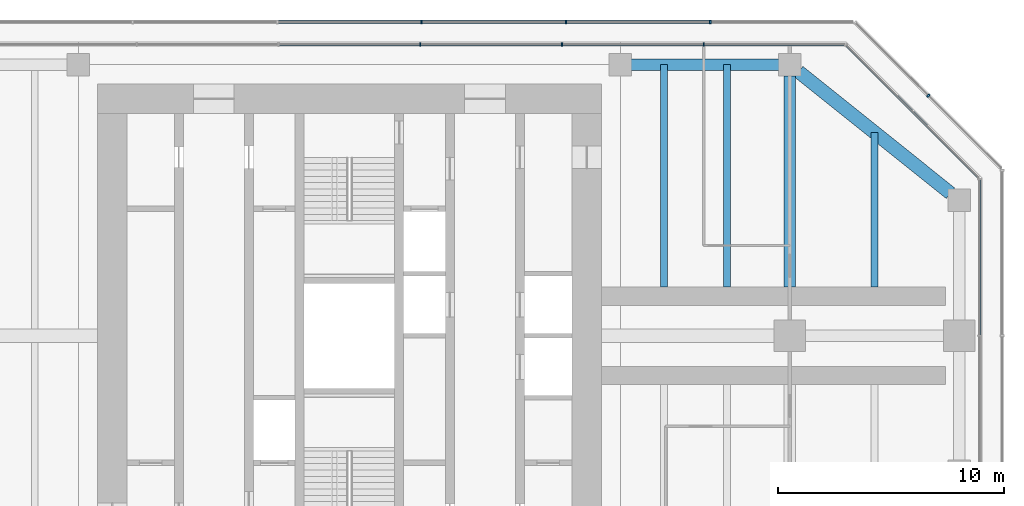
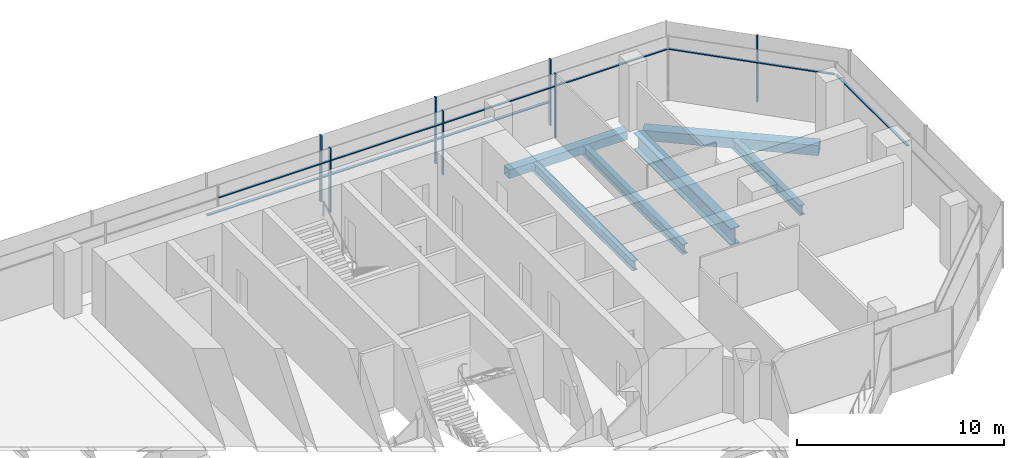
# One storey, part 7 of 15: 16 members, 6 beams, 5 elements without a shape of their own.
"""IFC4 building model written with IfcOpenShell, lengths in metres."""

from ifc_helpers import new_model, si_unit, direction, frame, origin, origin_2d, place, context, subcontext, project, spatial, rectangle, hollow_rectangle, i_section, extrude, material, material_profile, profile_set, type_object, element, aggregate, save


model = new_model("IFC4")

# Units and contexts
model_context = context("Model", 3, precision=1e-05, world=origin(), true_north=direction((0.0, 1.0)))
body_context = subcontext(model_context, "Body", "Model", "MODEL_VIEW")
ifc_project = project(units=[si_unit("LENGTHUNIT", "METRE"), si_unit("AREAUNIT", "SQUARE_METRE"), si_unit("VOLUMEUNIT", "CUBIC_METRE"), si_unit("PLANEANGLEUNIT", "RADIAN"), si_unit("MASSUNIT", "GRAM", prefix="KILO")], contexts=[model_context])

# Site, building, storey
site_placement = place(None, origin())
site = spatial("IfcSite", under=ifc_project, at=site_placement, CompositionType="ELEMENT")
building_placement = place(site_placement, origin())
building = spatial("IfcBuilding", under=site, at=building_placement, Name="Mizan Broadcast Tower", CompositionType="ELEMENT")
storey_placement = place(building_placement, frame((0.0, 0.0, 271.199951171875)))
storey = spatial("IfcBuildingStorey", under=building, at=storey_placement, Name="L64", CompositionType="ELEMENT", Elevation=271.199951171875)

# Beams
ifc_material_1 = material(Name="Steel S355", Category="steel")
ifc_material_profile_1 = material_profile(ifc_material_1, hollow_rectangle(XDim=0.5, YDim=0.5, WallThickness=0.030029296875, at=origin_2d()), Name="BOX 500x500x30")
ifc_profile_set_1 = profile_set([ifc_material_profile_1], Name="Steel S355")
beam_type_1 = type_object("IfcBeamType", Name="EDGE BEAM BOX 500x500x30", PredefinedType="SPANDREL", material=ifc_profile_set_1)
beam_1_placement = place(storey_placement, frame((12.449951171875, 12.0, -0.3798828125), z_axis=(1.0, 0.0, 0.0), x_axis=(0.0, 1.0, 0.0)))
element("IfcBeam", 1, at=beam_1_placement, inside=storey, type_object=beam_type_1, Name="Edge beam BOX 500x500x30 L64 east arm", PredefinedType="SPANDREL", context=body_context, shape_type="SweptSolid", body=[
    extrude(hollow_rectangle(XDim=0.5, YDim=0.5, WallThickness=0.030029296875, at=origin_2d()), origin(), (0.0, 0.0, 1.0), 6.60009765625),
])
ifc_material_2 = material(Name="Steel S355", Category="steel")
ifc_material_profile_2 = material_profile(ifc_material_2, hollow_rectangle(XDim=0.60009765625, YDim=0.60009765625, WallThickness=0.030029296875, at=origin_2d()), Name="BOX 600x600x30")
ifc_profile_set_2 = profile_set([ifc_material_profile_2], Name="Steel S355")
beam_type_2 = type_object("IfcBeamType", Name="EDGE BEAM BOX 600x600x30", PredefinedType="SPANDREL", material=ifc_profile_set_2)
beam_2_placement = place(storey_placement, frame((19.890380859375, 11.687744140625, -0.429931640625), z_axis=(0.780863273348, -0.62470196761, 0.0), x_axis=(0.62470196761, 0.780863273348, 0.0)))
element("IfcBeam", 2, at=beam_2_placement, inside=storey, type_object=beam_type_2, Name="Edge beam BOX 600x600x30 L64 east arm", PredefinedType="SPANDREL", context=body_context, shape_type="SweptSolid", body=[
    extrude(hollow_rectangle(XDim=0.60009765625, YDim=0.60009765625, WallThickness=0.030029296875, at=origin_2d()), origin(), (0.0, 0.0, 1.0), 8.60498046875),
])
ifc_material_3 = material(Name="Steel S460", Category="steel")
ifc_material_profile_3 = material_profile(ifc_material_3, i_section(OverallWidth=0.5, OverallDepth=1.0, WebThickness=0.02490234375, FlangeThickness=0.050048828125, at=origin_2d()), Name="WPG 1000x500")
ifc_profile_set_3 = profile_set([ifc_material_profile_3], Name="Steel S460")
beam_type_3 = type_object("IfcBeamType", Name="GIRDER WPG 1000x500", PredefinedType="BEAM", material=ifc_profile_set_3)
beam_3_placement = place(storey_placement, frame((19.5, 11.5, -0.6298828125), z_axis=(0.0, -1.0, 0.0), x_axis=(1.0, 0.0, 0.0)))
element("IfcBeam", 3, at=beam_3_placement, inside=storey, type_object=beam_type_3, Name="Girder WPG 1000x500 L64 east arm", PredefinedType="BEAM", context=body_context, shape_type="SweptSolid", body=[
    extrude(i_section(OverallWidth=0.5, OverallDepth=1.0, WebThickness=0.02490234375, FlangeThickness=0.050048828125, at=origin_2d()), origin(), (0.0, 0.0, 1.0), 9.35009765625),
])

# Curtain wall, members
ifc_material_4 = material(Name="Aluminium framed glazing", Category="aluminium")
curtain_wall_type_1 = type_object("IfcCurtainWallType", Name="INNER SKIN TOP ZONE", PredefinedType="USERDEFINED", material=ifc_material_4)
curtain_wall_1_placement = place(storey_placement, origin())
curtain_wall_1 = element("IfcCurtainWall", 4, at=curtain_wall_1_placement, inside=storey, type_object=curtain_wall_type_1, Name="Inner skin top zone L64 N end", ObjectType="INNER SKIN TOP ZONE", PredefinedType="USERDEFINED")
ifc_material_5 = material(Name="Aluminium, pale anodised", Category="aluminium")
ifc_material_profile_4 = material_profile(ifc_material_5, rectangle(XDim=0.159912109375, YDim=0.06005859375, at=origin_2d()), Name="MULLION 160x60")
ifc_profile_set_4 = profile_set([ifc_material_profile_4], Name="Aluminium, pale anodised")
member_type_1 = type_object("IfcMemberType", Name="INNER SKIN MULLION 60x160", PredefinedType="MULLION", material=ifc_profile_set_4)
member_1_placement = place(storey_placement, frame((15.684814453125, 12.89990234375, 0.0), z_axis=(0.0, 0.0, 1.0), x_axis=(0.0, -1.0, 0.0)))
member_1 = element("IfcMember", 5, at=member_1_placement, type_object=member_type_1, Name="Inner skin top zone L64 N end mullion 2", PredefinedType="MULLION", context=body_context, shape_type="SweptSolid", body=[
    extrude(rectangle(XDim=0.159912109375, YDim=0.06005859375, at=origin_2d()), origin(), (0.0, 0.0, 1.0), 3.77001953125),
])
member_2_placement = place(storey_placement, frame((9.410888671875, 12.89990234375, 0.0), z_axis=(0.0, 0.0, 1.0), x_axis=(0.0, -1.0, 0.0)))
member_2 = element("IfcMember", 6, at=member_2_placement, type_object=member_type_1, Name="Inner skin top zone L64 N end mullion 3", PredefinedType="MULLION", context=body_context, shape_type="SweptSolid", body=[
    extrude(rectangle(XDim=0.159912109375, YDim=0.06005859375, at=origin_2d()), origin(), (0.0, 0.0, 1.0), 3.77001953125),
])
member_3_placement = place(storey_placement, frame((3.136962890625, 12.89990234375, 0.0), z_axis=(0.0, 0.0, 1.0), x_axis=(0.0, -1.0, 0.0)))
member_3 = element("IfcMember", 7, at=member_3_placement, type_object=member_type_1, Name="Inner skin top zone L64 N end mullion 4", PredefinedType="MULLION", context=body_context, shape_type="SweptSolid", body=[
    extrude(rectangle(XDim=0.159912109375, YDim=0.06005859375, at=origin_2d()), origin(), (0.0, 0.0, 1.0), 3.77001953125),
])

# Curtain wall, member
curtain_wall_2_placement = place(storey_placement, origin())
curtain_wall_2 = element("IfcCurtainWall", 8, at=curtain_wall_2_placement, inside=storey, type_object=curtain_wall_type_1, Name="Inner skin top zone L64 E end", ObjectType="INNER SKIN TOP ZONE", PredefinedType="USERDEFINED")
ifc_material_6 = material(Name="Aluminium, pale anodised", Category="aluminium")
ifc_material_profile_5 = material_profile(ifc_material_6, rectangle(XDim=0.1201171875, YDim=0.06005859375, at=origin_2d()), Name="TRANSOM 120x60")
ifc_profile_set_5 = profile_set([ifc_material_profile_5], Name="Aluminium, pale anodised")
member_type_2 = type_object("IfcMemberType", Name="INNER SKIN TRANSOM 60x120", PredefinedType="USERDEFINED", material=ifc_profile_set_5)
member_4_placement = place(storey_placement, frame((27.89990234375, 0.030029296875, 3.030029296875), z_axis=(0.0, 1.0, 0.0), x_axis=(-1.0, 0.0, 0.0)))
member_4 = element("IfcMember", 9, at=member_4_placement, type_object=member_type_2, Name="Inner skin top zone L64 E end transom 2.1", ObjectType="TRANSOM", PredefinedType="USERDEFINED", context=body_context, shape_type="SweptSolid", body=[
    extrude(rectangle(XDim=0.1201171875, YDim=0.06005859375, at=origin_2d()), origin(), (0.0, 0.0, 1.0), 6.86865234375),
])
aggregate(curtain_wall_2, [member_4])

curtain_wall_3_placement = place(storey_placement, origin())
curtain_wall_3 = element("IfcCurtainWall", 10, at=curtain_wall_3_placement, inside=storey, type_object=curtain_wall_type_1, Name="Inner skin top zone L64 E chamfer", ObjectType="INNER SKIN TOP ZONE", PredefinedType="USERDEFINED")
member_5_placement = place(storey_placement, frame((27.857666015625, 7.0009765625, 3.030029296875), z_axis=(-0.707106781187, 0.707106781187, 0.0), x_axis=(-0.707106781187, -0.707106781187, 0.0)))
member_5 = element("IfcMember", 11, at=member_5_placement, type_object=member_type_2, Name="Inner skin top zone L64 E chamfer transom 1.1", ObjectType="TRANSOM", PredefinedType="USERDEFINED", context=body_context, shape_type="SweptSolid", body=[
    extrude(rectangle(XDim=0.1201171875, YDim=0.06005859375, at=origin_2d()), origin(), (0.0, 0.0, 1.0), 8.28271484375),
])
aggregate(curtain_wall_3, [member_5])

# Member
member_6_placement = place(storey_placement, frame((21.898681640625, 12.89990234375, 3.030029296875), z_axis=(-1.0, 0.0, 0.0), x_axis=(0.0, -1.0, 0.0)))
member_6 = element("IfcMember", 12, at=member_6_placement, type_object=member_type_2, Name="Inner skin top zone L64 N end transom 1.1", ObjectType="TRANSOM", PredefinedType="USERDEFINED", context=body_context, shape_type="SweptSolid", body=[
    extrude(rectangle(XDim=0.1201171875, YDim=0.06005859375, at=origin_2d()), origin(), (0.0, 0.0, 1.0), 6.18408203125),
])

member_7_placement = place(storey_placement, frame((15.65478515625, 12.89990234375, 3.030029296875), z_axis=(-1.0, 0.0, 0.0), x_axis=(0.0, -1.0, 0.0)))
member_7 = element("IfcMember", 13, at=member_7_placement, type_object=member_type_2, Name="Inner skin top zone L64 N end transom 2.1", ObjectType="TRANSOM", PredefinedType="USERDEFINED", context=body_context, shape_type="SweptSolid", body=[
    extrude(rectangle(XDim=0.1201171875, YDim=0.06005859375, at=origin_2d()), origin(), (0.0, 0.0, 1.0), 6.2138671875),
])

member_8_placement = place(storey_placement, frame((9.380859375, 12.89990234375, 3.030029296875), z_axis=(-1.0, 0.0, 0.0), x_axis=(0.0, -1.0, 0.0)))
member_8 = element("IfcMember", 14, at=member_8_placement, type_object=member_type_2, Name="Inner skin top zone L64 N end transom 3.1", ObjectType="TRANSOM", PredefinedType="USERDEFINED", context=body_context, shape_type="SweptSolid", body=[
    extrude(rectangle(XDim=0.1201171875, YDim=0.06005859375, at=origin_2d()), origin(), (0.0, 0.0, 1.0), 6.2138671875),
])

member_9_placement = place(storey_placement, frame((3.10693359375, 12.89990234375, 3.030029296875), z_axis=(-1.0, 0.0, 0.0), x_axis=(0.0, -1.0, 0.0)))
member_9 = element("IfcMember", 15, at=member_9_placement, type_object=member_type_2, Name="Inner skin top zone L64 N end transom 4.1", ObjectType="TRANSOM", PredefinedType="USERDEFINED", context=body_context, shape_type="SweptSolid", body=[
    extrude(rectangle(XDim=0.1201171875, YDim=0.06005859375, at=origin_2d()), origin(), (0.0, 0.0, 1.0), 6.2138671875),
])

aggregate(curtain_wall_1, [member_1, member_2, member_3, member_6, member_7, member_8, member_9])

# Curtain wall, member
ifc_material_7 = material(Name="Aluminium framed glazing", Category="aluminium")
curtain_wall_type_2 = type_object("IfcCurtainWallType", Name="OUTER SKIN", PredefinedType="USERDEFINED", material=ifc_material_7)
curtain_wall_4_placement = place(storey_placement, origin())
curtain_wall_4 = element("IfcCurtainWall", 16, at=curtain_wall_4_placement, inside=storey, type_object=curtain_wall_type_2, Name="Outer skin L64 E chamfer", ObjectType="OUTER SKIN", PredefinedType="USERDEFINED")
ifc_material_8 = material(Name="Aluminium, pale anodised", Category="aluminium")
ifc_material_profile_6 = material_profile(ifc_material_8, rectangle(XDim=0.159912109375, YDim=0.080078125, at=origin_2d()), Name="MULLION 160x80")
ifc_profile_set_6 = profile_set([ifc_material_profile_6], Name="Aluminium, pale anodised")
member_type_3 = type_object("IfcMemberType", Name="OUTER SKIN MULLION 80x160", PredefinedType="MULLION", material=ifc_profile_set_6)
member_10_placement = place(storey_placement, frame((25.636474609375, 10.636474609375, 0.0), z_axis=(0.0, 0.0, 1.0), x_axis=(-0.707106781187, -0.707106781187, 0.0)))
member_10 = element("IfcMember", 17, at=member_10_placement, type_object=member_type_3, Name="Outer skin L64 E chamfer mullion 2", PredefinedType="MULLION", context=body_context, shape_type="SweptSolid", body=[
    extrude(rectangle(XDim=0.159912109375, YDim=0.080078125, at=origin_2d()), origin(), (0.0, 0.0, 1.0), 3.900146484375),
])
aggregate(curtain_wall_4, [member_10])

# Curtain wall, members
curtain_wall_5_placement = place(storey_placement, origin())
curtain_wall_5 = element("IfcCurtainWall", 18, at=curtain_wall_5_placement, inside=storey, type_object=curtain_wall_type_2, Name="Outer skin L64 N end", ObjectType="OUTER SKIN", PredefinedType="USERDEFINED")
member_11_placement = place(storey_placement, frame((15.98046875, 13.89990234375, 0.0), z_axis=(0.0, 0.0, 1.0), x_axis=(0.0, -1.0, 0.0)))
member_11 = element("IfcMember", 19, at=member_11_placement, type_object=member_type_3, Name="Outer skin L64 N end mullion 2", PredefinedType="MULLION", context=body_context, shape_type="SweptSolid", body=[
    extrude(rectangle(XDim=0.159912109375, YDim=0.080078125, at=origin_2d()), origin(), (0.0, 0.0, 1.0), 3.900146484375),
])
member_12_placement = place(storey_placement, frame((9.58837890625, 13.89990234375, 0.0), z_axis=(0.0, 0.0, 1.0), x_axis=(0.0, -1.0, 0.0)))
member_12 = element("IfcMember", 20, at=member_12_placement, type_object=member_type_3, Name="Outer skin L64 N end mullion 3", PredefinedType="MULLION", context=body_context, shape_type="SweptSolid", body=[
    extrude(rectangle(XDim=0.159912109375, YDim=0.080078125, at=origin_2d()), origin(), (0.0, 0.0, 1.0), 3.900146484375),
])
member_13_placement = place(storey_placement, frame((3.196044921875, 13.89990234375, 0.0), z_axis=(0.0, 0.0, 1.0), x_axis=(0.0, -1.0, 0.0)))
member_13 = element("IfcMember", 21, at=member_13_placement, type_object=member_type_3, Name="Outer skin L64 N end mullion 4", PredefinedType="MULLION", context=body_context, shape_type="SweptSolid", body=[
    extrude(rectangle(XDim=0.159912109375, YDim=0.080078125, at=origin_2d()), origin(), (0.0, 0.0, 1.0), 3.900146484375),
])
ifc_material_9 = material(Name="Aluminium, pale anodised", Category="aluminium")
ifc_material_profile_7 = material_profile(ifc_material_9, rectangle(XDim=0.159912109375, YDim=0.06005859375, at=origin_2d()), Name="TRANSOM 160x60")
ifc_profile_set_7 = profile_set([ifc_material_profile_7], Name="Aluminium, pale anodised")
member_type_4 = type_object("IfcMemberType", Name="OUTER SKIN TRANSOM 60x160", PredefinedType="USERDEFINED", material=ifc_profile_set_7)
member_14_placement = place(storey_placement, frame((15.940673828125, 13.89990234375, 1.400146484375), z_axis=(-1.0, 0.0, 0.0), x_axis=(0.0, -1.0, 0.0)))
member_14 = element("IfcMember", 22, at=member_14_placement, type_object=member_type_4, Name="Outer skin L64 N end transom 2.1", ObjectType="TRANSOM", PredefinedType="USERDEFINED", context=body_context, shape_type="SweptSolid", body=[
    extrude(rectangle(XDim=0.159912109375, YDim=0.06005859375, at=origin_2d()), origin(), (0.0, 0.0, 1.0), 6.312255859375),
])
member_15_placement = place(storey_placement, frame((9.54833984375, 13.89990234375, 1.400146484375), z_axis=(-1.0, 0.0, 0.0), x_axis=(0.0, -1.0, 0.0)))
member_15 = element("IfcMember", 23, at=member_15_placement, type_object=member_type_4, Name="Outer skin L64 N end transom 3.1", ObjectType="TRANSOM", PredefinedType="USERDEFINED", context=body_context, shape_type="SweptSolid", body=[
    extrude(rectangle(XDim=0.159912109375, YDim=0.06005859375, at=origin_2d()), origin(), (0.0, 0.0, 1.0), 6.312255859375),
])
member_16_placement = place(storey_placement, frame((3.156005859375, 13.89990234375, 1.400146484375), z_axis=(-1.0, 0.0, 0.0), x_axis=(0.0, -1.0, 0.0)))
member_16 = element("IfcMember", 24, at=member_16_placement, type_object=member_type_4, Name="Outer skin L64 N end transom 4.1", ObjectType="TRANSOM", PredefinedType="USERDEFINED", context=body_context, shape_type="SweptSolid", body=[
    extrude(rectangle(XDim=0.159912109375, YDim=0.06005859375, at=origin_2d()), origin(), (0.0, 0.0, 1.0), 6.31201171875),
])
aggregate(curtain_wall_5, [member_11, member_12, member_13, member_14, member_15, member_16])

# Beams
ifc_material_10 = material(Name="Steel S355", Category="steel")
ifc_material_profile_8 = material_profile(ifc_material_10, i_section(OverallWidth=0.300048828125, OverallDepth=0.590087890625, WebThickness=0.012939453125, FlangeThickness=0.02490234375, FilletRadius=0.027099609375, at=origin_2d()), Name="HEA 600")
ifc_profile_set_8 = profile_set([ifc_material_profile_8], Name="Steel S355")
beam_type_4 = type_object("IfcBeamType", Name="SECONDARY BEAM HEA 600", PredefinedType="JOIST", material=ifc_profile_set_8)
for number, where, z_axis, x_axis, name in (
    (25, (13.933349609375, 12.0, -0.425048828125), (0.0, -1.0, 0.0), (1.0, 0.0, 0.0), "Secondary beam HEA 600 L64 east arm"),
    (26, (16.716552734375, 12.0, -0.425048828125), (0.0, -1.0, 0.0), (1.0, 0.0, 0.0), "Secondary beam HEA 600 L64 east arm"),
):
    element("IfcBeam", number, at=place(storey_placement, frame(where, z_axis=z_axis, x_axis=x_axis)), inside=storey, type_object=beam_type_4, Name=name, PredefinedType="JOIST", context=body_context, shape_type="SweptSolid", body=[
        extrude(i_section(OverallWidth=0.300048828125, OverallDepth=0.590087890625, WebThickness=0.012939453125, FlangeThickness=0.02490234375, FilletRadius=0.027099609375, at=origin_2d()), origin(), (0.0, 0.0, 1.0), 9.85009765625),
    ])
beam_4_placement = place(storey_placement, frame((23.25, 9.0, -0.425048828125), z_axis=(0.0, -1.0, 0.0), x_axis=(1.0, 0.0, 0.0)))
element("IfcBeam", 27, at=beam_4_placement, inside=storey, type_object=beam_type_4, Name="Secondary beam HEA 600 L64 east arm", PredefinedType="JOIST", context=body_context, shape_type="SweptSolid", body=[
    extrude(i_section(OverallWidth=0.300048828125, OverallDepth=0.590087890625, WebThickness=0.012939453125, FlangeThickness=0.02490234375, FilletRadius=0.027099609375, at=origin_2d()), origin(), (0.0, 0.0, 1.0), 6.85009765625),
])

save(model, "model.ifc")
